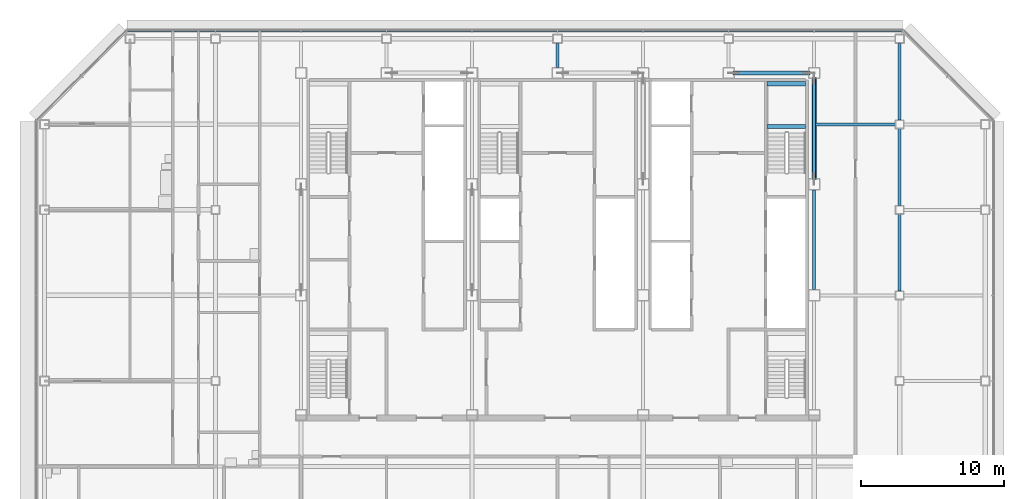
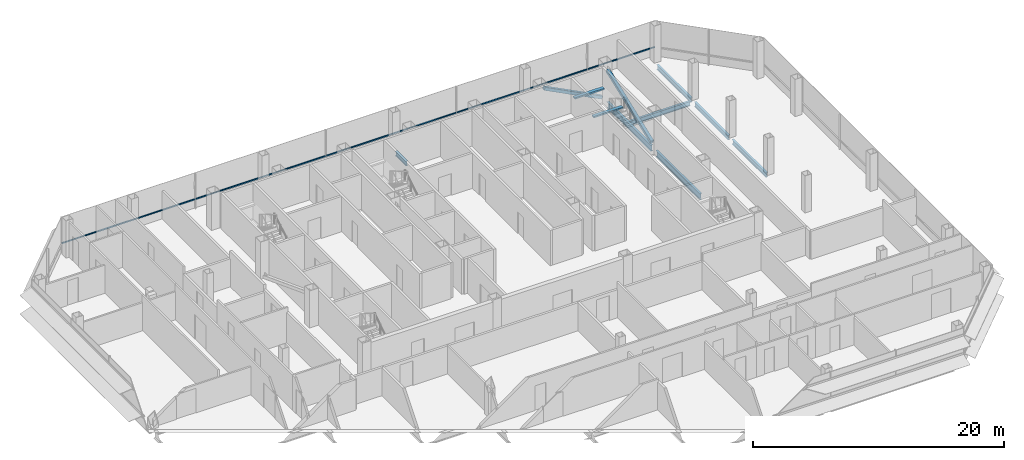
# One storey, part 14 of 26: 9 beams, 3 members, 1 element without a shape of its own.
"""IFC4 building model written with IfcOpenShell, lengths in metres."""

from ifc_helpers import new_model, si_unit, direction, frame, origin, origin_2d, place, context, subcontext, project, spatial, rectangle, hollow_rectangle, i_section, extrude, material, material_profile, profile_set, type_object, element, aggregate, save


model = new_model("IFC4")

# Units and contexts
model_context = context("Model", 3, precision=1e-05, world=origin(), true_north=direction((0.0, 1.0)))
body_context = subcontext(model_context, "Body", "Model", "MODEL_VIEW")
ifc_project = project(units=[si_unit("LENGTHUNIT", "METRE"), si_unit("AREAUNIT", "SQUARE_METRE"), si_unit("VOLUMEUNIT", "CUBIC_METRE"), si_unit("PLANEANGLEUNIT", "RADIAN"), si_unit("MASSUNIT", "GRAM", prefix="KILO")], contexts=[model_context])

# Site, building, storey
site_placement = place(None, origin())
site = spatial("IfcSite", under=ifc_project, at=site_placement, CompositionType="ELEMENT")
building_placement = place(site_placement, origin())
building = spatial("IfcBuilding", under=site, at=building_placement, Name="Sorahane Residences", CompositionType="ELEMENT")
storey_placement = place(building_placement, frame((0.0, 0.0, 243.199951171875)))
storey = spatial("IfcBuildingStorey", under=building, at=storey_placement, Name="L57", CompositionType="ELEMENT", Elevation=243.199951171875)

# Members
ifc_material_1 = material(Name="Steel Q355B", Category="steel")
ifc_material_profile_1 = material_profile(ifc_material_1, hollow_rectangle(XDim=0.300048828125, YDim=0.300048828125, WallThickness=0.01611328125, InnerFilletRadius=0.008056640625, OuterFilletRadius=0.02392578125, at=origin_2d()), Name="RHS 300x300x16")
ifc_profile_set_1 = profile_set([ifc_material_profile_1], Name="Steel Q355B")
member_type_1 = type_object("IfcMemberType", Name="Core brace RHS 300x300x16 Q355B", PredefinedType="BRACE", material=ifc_profile_set_1)
member_1_placement = place(storey_placement, frame((41.64111328125, 45.60009765625, 0.12890625), z_axis=(-0.889590046837, 0.0, 0.45675983686), x_axis=(0.0, -1.0, 0.0)))
element("IfcMember", 1, at=member_1_placement, inside=storey, type_object=member_type_1, Name="Core brace L57 y45.6-6", PredefinedType="BRACE", context=body_context, shape_type="SweptSolid", body=[
    extrude(hollow_rectangle(XDim=0.300048828125, YDim=0.300048828125, WallThickness=0.01611328125, InnerFilletRadius=0.008056640625, OuterFilletRadius=0.02392578125, at=origin_2d()), origin(), (0.0, 0.0, 1.0), 5.937744140625),
])
member_2_placement = place(storey_placement, frame((42.0, 38.16796875, 0.1376953125), z_axis=(0.0, 0.934335722983, 0.356394103147), x_axis=(-1.0, 0.0, 0.0)))
element("IfcMember", 2, at=member_2_placement, inside=storey, type_object=member_type_1, Name="Core brace L57 x42-3", PredefinedType="BRACE", context=body_context, shape_type="SweptSolid", body=[
    extrude(hollow_rectangle(XDim=0.300048828125, YDim=0.300048828125, WallThickness=0.01611328125, InnerFilletRadius=0.008056640625, OuterFilletRadius=0.02392578125, at=origin_2d()), origin(), (0.0, 0.0, 1.0), 7.560791015625),
])

# Curtain wall, member
ifc_material_2 = material(Name="Dark low-e glass and black anodised aluminium", Category="aluminium")
curtain_wall_type = type_object("IfcCurtainWallType", Name="Curtain wall CW-1 Typical unitised wall", PredefinedType="NOTDEFINED", material=ifc_material_2)
curtain_wall_placement = place(storey_placement, origin())
curtain_wall = element("IfcCurtainWall", 3, at=curtain_wall_placement, inside=storey, type_object=curtain_wall_type, Name="CW-1 curtain wall L57 N1", PredefinedType="NOTDEFINED")
ifc_material_3 = material(Name="Black anodised aluminium", Category="aluminium")
ifc_material_profile_2 = material_profile(ifc_material_3, rectangle(XDim=0.10009765625, YDim=0.06005859375, at=origin_2d()), Name="Curtain wall transom CW-1 black anodised aluminium 60x100")
ifc_profile_set_2 = profile_set([ifc_material_profile_2], Name="Black anodised aluminium")
member_type_2 = type_object("IfcMemberType", Name="Curtain wall transom CW-1 black anodised aluminium 60x100", PredefinedType="USERDEFINED", material=ifc_profile_set_2)
member_3_placement = place(storey_placement, frame((48.198486328125, 48.530029296875, 0.900146484375), z_axis=(-1.0, 0.0, 0.0), x_axis=(0.0, -1.0, 0.0)))
member_3 = element("IfcMember", 4, at=member_3_placement, type_object=member_type_2, Name="CW-1 transom L57 N1", ObjectType="TRANSOM", PredefinedType="USERDEFINED", context=body_context, shape_type="SweptSolid", body=[
    extrude(rectangle(XDim=0.10009765625, YDim=0.06005859375, at=origin_2d()), origin(), (0.0, 0.0, 1.0), 54.39697265625),
])
aggregate(curtain_wall, [member_3])

# Beams
ifc_material_4 = material(Name="Concrete C40", Category="concrete")
ifc_material_profile_3 = material_profile(ifc_material_4, rectangle(XDim=0.300048828125, YDim=0.139892578125, at=origin_2d()), Name="300x140")
ifc_profile_set_3 = profile_set([ifc_material_profile_3], Name="Concrete C40")
beam_type_1 = type_object("IfcBeamType", Name="RC landing beam 300 x 140 Concrete C40", PredefinedType="BEAM", material=ifc_profile_set_3)
for number, where, z_axis, x_axis, name in (
    (5, (38.699951171875, 41.85009765625, 1.530029296875), (1.0, 0.0, 0.0), (0.0, 1.0, 0.0), "Landing beam"),
    (6, (38.699951171875, 44.85009765625, 1.530029296875), (1.0, 0.0, 0.0), (0.0, 1.0, 0.0), "Landing beam"),
):
    element("IfcBeam", number, at=place(storey_placement, frame(where, z_axis=z_axis, x_axis=x_axis)), inside=storey, type_object=beam_type_1, Name=name, PredefinedType="BEAM", context=body_context, shape_type="SweptSolid", body=[
        extrude(rectangle(XDim=0.300048828125, YDim=0.139892578125, at=origin_2d()), origin(), (0.0, 0.0, 1.0), 2.699951171875),
    ])
ifc_material_5 = material(Name="Steel Q355B", Category="steel")
ifc_material_profile_4 = material_profile(ifc_material_5, i_section(OverallWidth=0.199951171875, OverallDepth=0.449951171875, WebThickness=0.009033203125, FlangeThickness=0.013916015625, FilletRadius=0.02001953125, at=origin_2d()), Name="HN 450x200x9x14")
ifc_profile_set_4 = profile_set([ifc_material_profile_4], Name="Steel Q355B")
beam_type_2 = type_object("IfcBeamType", Name="Steel floor beam HN 450x200x9x14 Q355B", PredefinedType="BEAM", material=ifc_profile_set_4)
beam_1_placement = place(storey_placement, frame((24.0, 46.0, -0.405029296875), z_axis=(0.0, 1.0, 0.0), x_axis=(-1.0, 0.0, 0.0)))
element("IfcBeam", 7, at=beam_1_placement, inside=storey, type_object=beam_type_2, Name="Beam L57 043", PredefinedType="BEAM", context=body_context, shape_type="SweptSolid", body=[
    extrude(i_section(OverallWidth=0.199951171875, OverallDepth=0.449951171875, WebThickness=0.009033203125, FlangeThickness=0.013916015625, FilletRadius=0.02001953125, at=origin_2d()), origin(), (0.0, 0.0, 1.0), 1.675048828125),
])
for number, where, z_axis, x_axis, name in (
    (8, (48.0, 30.300048828125, -0.405029296875), (0.0, 1.0, 0.0), (-1.0, 0.0, 0.0), "Beam L57 061"),
    (9, (48.0, 36.300048828125, -0.405029296875), (0.0, 1.0, 0.0), (-1.0, 0.0, 0.0), "Beam L57 062"),
):
    element("IfcBeam", number, at=place(storey_placement, frame(where, z_axis=z_axis, x_axis=x_axis)), inside=storey, type_object=beam_type_2, Name=name, PredefinedType="BEAM", context=body_context, shape_type="SweptSolid", body=[
        extrude(i_section(OverallWidth=0.199951171875, OverallDepth=0.449951171875, WebThickness=0.009033203125, FlangeThickness=0.013916015625, FilletRadius=0.02001953125, at=origin_2d()), origin(), (0.0, 0.0, 1.0), 5.39990234375),
    ])
beam_2_placement = place(storey_placement, frame((48.0, 42.300048828125, -0.405029296875), z_axis=(0.0, 1.0, 0.0), x_axis=(-1.0, 0.0, 0.0)))
element("IfcBeam", 10, at=beam_2_placement, inside=storey, type_object=beam_type_2, Name="Beam L57 063", PredefinedType="BEAM", context=body_context, shape_type="SweptSolid", body=[
    extrude(i_section(OverallWidth=0.199951171875, OverallDepth=0.449951171875, WebThickness=0.009033203125, FlangeThickness=0.013916015625, FilletRadius=0.02001953125, at=origin_2d()), origin(), (0.0, 0.0, 1.0), 5.375),
])
beam_3_placement = place(storey_placement, frame((42.10009765625, 42.0, -0.405029296875), z_axis=(1.0, 0.0, 0.0), x_axis=(0.0, 1.0, 0.0)))
element("IfcBeam", 11, at=beam_3_placement, inside=storey, type_object=beam_type_2, Name="Beam L57 091", PredefinedType="BEAM", context=body_context, shape_type="SweptSolid", body=[
    extrude(i_section(OverallWidth=0.199951171875, OverallDepth=0.449951171875, WebThickness=0.009033203125, FlangeThickness=0.013916015625, FilletRadius=0.02001953125, at=origin_2d()), origin(), (0.0, 0.0, 1.0), 5.599853515625),
])
ifc_material_6 = material(Name="Steel Q355B", Category="steel")
ifc_material_profile_5 = material_profile(ifc_material_6, i_section(OverallWidth=0.199951171875, OverallDepth=0.60009765625, WebThickness=0.010986328125, FlangeThickness=0.01708984375, FilletRadius=0.02392578125, at=origin_2d()), Name="HN 600x200x11x17")
ifc_profile_set_5 = profile_set([ifc_material_profile_5], Name="Steel Q355B")
beam_type_3 = type_object("IfcBeamType", Name="Steel floor beam HN 600x200x11x17 Q355B", PredefinedType="BEAM", material=ifc_profile_set_5)
for number, where, z_axis, x_axis, name in (
    (12, (42.0, 30.39990234375, -0.47998046875), (0.0, 1.0, 0.0), (-1.0, 0.0, 0.0), "Beam L57 055"),
    (13, (42.0, 38.199951171875, -0.47998046875), (0.0, 1.0, 0.0), (-1.0, 0.0, 0.0), "Beam L57 056"),
):
    element("IfcBeam", number, at=place(storey_placement, frame(where, z_axis=z_axis, x_axis=x_axis)), inside=storey, type_object=beam_type_3, Name=name, PredefinedType="BEAM", context=body_context, shape_type="SweptSolid", body=[
        extrude(i_section(OverallWidth=0.199951171875, OverallDepth=0.60009765625, WebThickness=0.010986328125, FlangeThickness=0.01708984375, FilletRadius=0.02392578125, at=origin_2d()), origin(), (0.0, 0.0, 1.0), 7.0),
    ])

save(model, "model.ifc")
